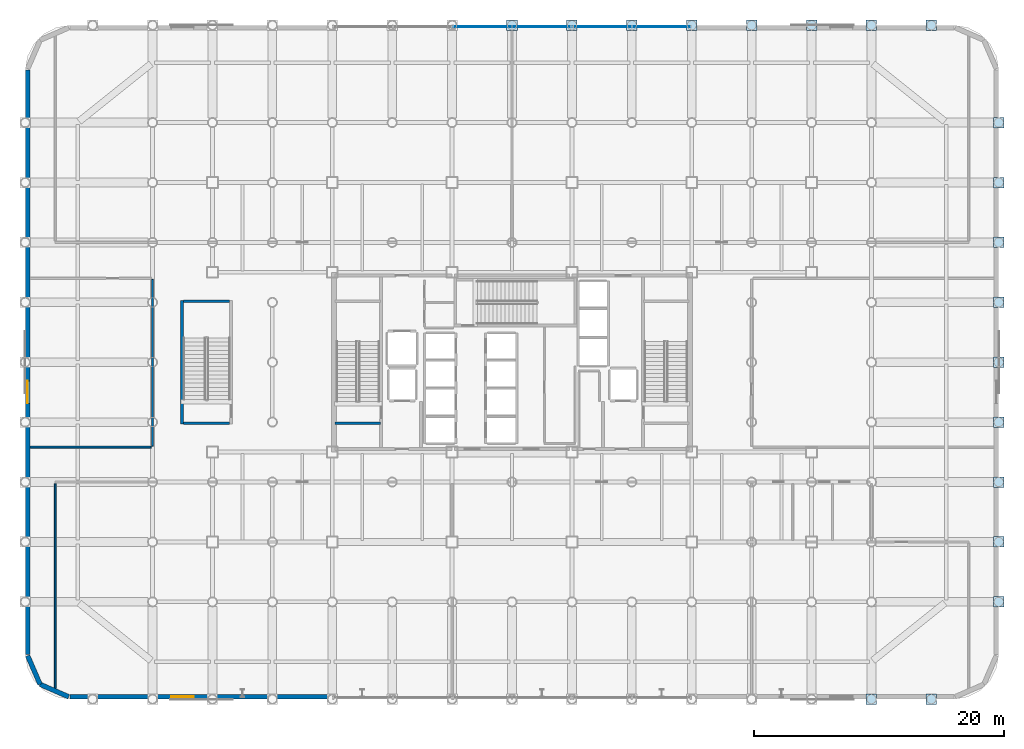
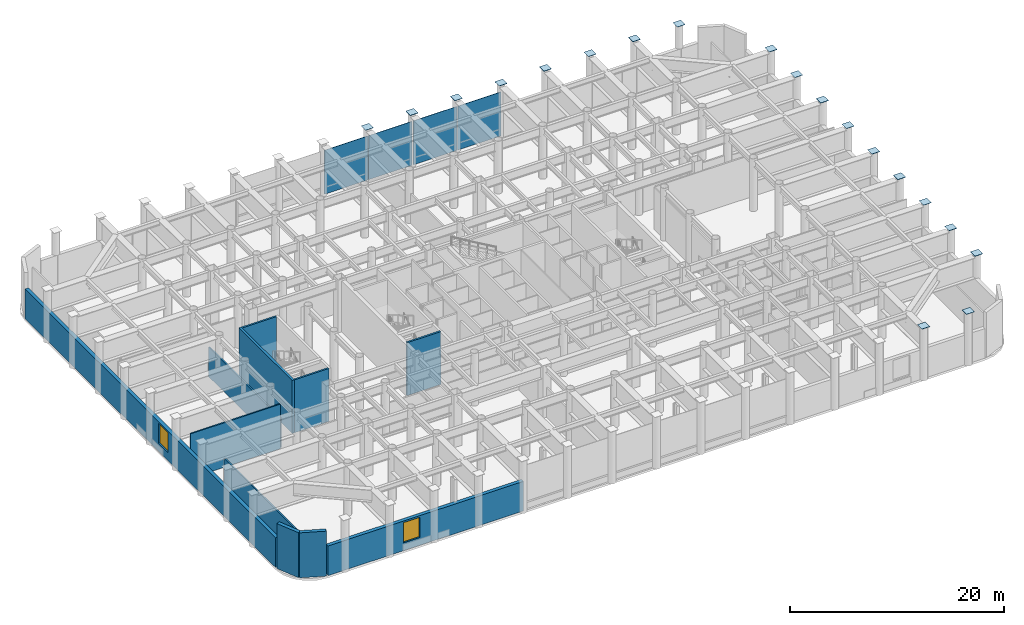
# One storey, part 15 of 26: 23 plates, 11 walls, 2 windows, 2 openings, 2 elements without a shape of their own.
"""IFC4 building model written with IfcOpenShell, lengths in metres."""

from ifc_helpers import new_model, si_unit, direction, frame, frame_2d, origin, origin_2d, place, context, subcontext, project, spatial, rectangle, extrude, material, layer, layer_set, type_object, element, fill, aggregate, save


model = new_model("IFC4")

# Units and contexts
model_context = context("Model", 3, precision=1e-05, world=origin(), true_north=direction((0.0, 1.0)))
body_context = subcontext(model_context, "Body", "Model", "MODEL_VIEW")
ifc_project = project(units=[si_unit("LENGTHUNIT", "METRE"), si_unit("AREAUNIT", "SQUARE_METRE"), si_unit("VOLUMEUNIT", "CUBIC_METRE"), si_unit("PLANEANGLEUNIT", "RADIAN"), si_unit("MASSUNIT", "GRAM", prefix="KILO")], contexts=[model_context])

# Site, building, storey
site_placement = place(None, origin())
site = spatial("IfcSite", under=ifc_project, at=site_placement, CompositionType="ELEMENT")
building_placement = place(site_placement, origin())
building = spatial("IfcBuilding", under=site, at=building_placement, Name="Kallvorn Hotel Tower", CompositionType="ELEMENT")
storey_placement = place(building_placement, frame((0.0, 0.0, 6.0)))
storey = spatial("IfcBuildingStorey", under=building, at=storey_placement, Name="L01", CompositionType="ELEMENT", Elevation=6.0)

# Curtain wall, plates
ifc_material_1 = material(Name="Thermally broken black-anodised aluminium AA 6063-T6", Category="aluminium")
ifc_layer_1 = layer(ifc_material_1, 0.239990234375)
ifc_layer_set_1 = layer_set([ifc_layer_1], Name="CW_SYS_1_PODIUM_LOW")
curtain_wall_type = type_object("IfcCurtainWallType", Name="CW_SYS_1_PODIUM_LOW", PredefinedType="USERDEFINED", material=ifc_layer_set_1)
curtain_wall_1_placement = place(storey_placement, origin())
curtain_wall_1 = element("IfcCurtainWall", 1, at=curtain_wall_1_placement, inside=storey, type_object=curtain_wall_type, Name="L01 Dark-Glass Curtain Wall CW-L01-N2", ObjectType="UNITISED CURTAIN WALL", PredefinedType="USERDEFINED")
ifc_material_2 = material(Name="Double-glazed low-e solar-control dark glass", Category="glass")
ifc_layer_2 = layer(ifc_material_2, 0.043212890625)
ifc_layer_set_2 = layer_set([ifc_layer_2], Name="CW_SYS_1_PODIUM_LOW_PANEL")
plate_type_1 = type_object("IfcPlateType", Name="CW_SYS_1_PODIUM_LOW_PANEL", PredefinedType="CURTAIN_PANEL", material=ifc_layer_set_2)
plate_1_placement = place(storey_placement, frame((-2.375, 26.8798828125, 0.06005859375), z_axis=(0.0, 0.0, 1.0), x_axis=(1.0, 0.0, 0.0)))
plate_1 = element("IfcPlate", 2, at=plate_1_placement, type_object=plate_type_1, Name="CW-L01-N2 Vision Glass Panel 00", PredefinedType="CURTAIN_PANEL", context=body_context, shape_type="SweptSolid", body=[
    extrude(rectangle(XDim=4.68994140625, YDim=0.043212890625, at=origin_2d()), origin(), (0.0, 0.0, 1.0), 5.010009765625),
])
plate_2_placement = place(storey_placement, frame((2.375, 26.8798828125, 0.06005859375), z_axis=(0.0, 0.0, 1.0), x_axis=(1.0, 0.0, 0.0)))
plate_2 = element("IfcPlate", 3, at=plate_2_placement, type_object=plate_type_1, Name="CW-L01-N2 Vision Glass Panel 01", PredefinedType="CURTAIN_PANEL", context=body_context, shape_type="SweptSolid", body=[
    extrude(rectangle(XDim=4.68994140625, YDim=0.043212890625, at=origin_2d()), origin(), (0.0, 0.0, 1.0), 5.010009765625),
])
aggregate(curtain_wall_1, [plate_1, plate_2])

curtain_wall_2_placement = place(storey_placement, origin())
curtain_wall_2 = element("IfcCurtainWall", 4, at=curtain_wall_2_placement, inside=storey, type_object=curtain_wall_type, Name="L01 Dark-Glass Curtain Wall CW-L01-N3", ObjectType="UNITISED CURTAIN WALL", PredefinedType="USERDEFINED")
plate_3_placement = place(storey_placement, frame((7.22509765625, 26.8798828125, 0.06005859375), z_axis=(0.0, 0.0, 1.0), x_axis=(1.0, 0.0, 0.0)))
plate_3 = element("IfcPlate", 5, at=plate_3_placement, type_object=plate_type_1, Name="CW-L01-N3 Vision Glass Panel 00", PredefinedType="CURTAIN_PANEL", context=body_context, shape_type="SweptSolid", body=[
    extrude(rectangle(XDim=4.68994140625, YDim=0.043212890625, at=origin_2d()), origin(), (0.0, 0.0, 1.0), 5.010009765625),
])
plate_4_placement = place(storey_placement, frame((11.97509765625, 26.8798828125, 0.06005859375), z_axis=(0.0, 0.0, 1.0), x_axis=(1.0, 0.0, 0.0)))
plate_4 = element("IfcPlate", 6, at=plate_4_placement, type_object=plate_type_1, Name="CW-L01-N3 Vision Glass Panel 01", PredefinedType="CURTAIN_PANEL", context=body_context, shape_type="SweptSolid", body=[
    extrude(rectangle(XDim=4.68994140625, YDim=0.043212890625, at=origin_2d()), origin(), (0.0, 0.0, 1.0), 5.010009765625),
])
aggregate(curtain_wall_2, [plate_3, plate_4])

# Plates
ifc_material_3 = material(Name="Structural steel S355JR", Category="steel")
ifc_layer_3 = layer(ifc_material_3, 0.030029296875)
ifc_layer_set_3 = layer_set([ifc_layer_3], Name="PLT_CAP_30")
plate_type_2 = type_object("IfcPlateType", Name="PLT_CAP_30", PredefinedType="SHEET", material=ifc_layer_set_3)
for number, where, z_axis, x_axis, name in (
    (7, (0.0, 27.0, 6.0), (0.0, 0.0, 1.0), (1.0, 0.0, 0.0), "L01 Hollow Column Top End Cap Plate 0026"),
    (8, (4.800048828125, 27.0, 6.0), (0.0, 0.0, 1.0), (1.0, 0.0, 0.0), "L01 Hollow Column Top End Cap Plate 0029"),
    (9, (9.60009765625, 27.0, 6.0), (0.0, 0.0, 1.0), (1.0, 0.0, 0.0), "L01 Hollow Column Top End Cap Plate 0031"),
    (10, (14.39990234375, 27.0, 6.0), (0.0, 0.0, 1.0), (1.0, 0.0, 0.0), "L01 Hollow Column Top End Cap Plate 0033"),
    (11, (19.199951171875, 27.0, 6.0), (0.0, 0.0, 1.0), (1.0, 0.0, 0.0), "L01 Hollow Column Top End Cap Plate 0035"),
    (12, (24.0, 27.0, 6.0), (0.0, 0.0, 1.0), (1.0, 0.0, 0.0), "L01 Hollow Column Top End Cap Plate 0037"),
    (13, (28.800048828125, -27.0, 6.0), (0.0, 0.0, 1.0), (1.0, 0.0, 0.0), "L01 Hollow Column Top End Cap Plate 0038"),
    (14, (28.800048828125, 27.0, 6.0), (0.0, 0.0, 1.0), (1.0, 0.0, 0.0), "L01 Hollow Column Top End Cap Plate 0039"),
    (15, (33.60009765625, -27.0, 6.0), (0.0, 0.0, 1.0), (1.0, 0.0, 0.0), "L01 Hollow Column Top End Cap Plate 0040"),
    (16, (33.60009765625, 27.0, 6.0), (0.0, 0.0, 1.0), (1.0, 0.0, 0.0), "L01 Hollow Column Top End Cap Plate 0041"),
    (17, (39.0, -19.199951171875, 6.0), (0.0, 0.0, 1.0), (1.0, 0.0, 0.0), "L01 Hollow Column Top End Cap Plate 0042"),
    (18, (39.0, -14.39990234375, 6.0), (0.0, 0.0, 1.0), (1.0, 0.0, 0.0), "L01 Hollow Column Top End Cap Plate 0043"),
    (19, (39.0, -9.60009765625, 6.0), (0.0, 0.0, 1.0), (1.0, 0.0, 0.0), "L01 Hollow Column Top End Cap Plate 0044"),
    (20, (39.0, -4.800048828125, 6.0), (0.0, 0.0, 1.0), (1.0, 0.0, 0.0), "L01 Hollow Column Top End Cap Plate 0045"),
    (21, (39.0, 0.0, 6.0), (0.0, 0.0, 1.0), (1.0, 0.0, 0.0), "L01 Hollow Column Top End Cap Plate 0046"),
    (22, (39.0, 4.800048828125, 6.0), (0.0, 0.0, 1.0), (1.0, 0.0, 0.0), "L01 Hollow Column Top End Cap Plate 0047"),
    (23, (39.0, 9.60009765625, 6.0), (0.0, 0.0, 1.0), (1.0, 0.0, 0.0), "L01 Hollow Column Top End Cap Plate 0048"),
    (24, (39.0, 14.39990234375, 6.0), (0.0, 0.0, 1.0), (1.0, 0.0, 0.0), "L01 Hollow Column Top End Cap Plate 0049"),
    (25, (39.0, 19.199951171875, 6.0), (0.0, 0.0, 1.0), (1.0, 0.0, 0.0), "L01 Hollow Column Top End Cap Plate 0050"),
):
    element("IfcPlate", number, at=place(storey_placement, frame(where, z_axis=z_axis, x_axis=x_axis)), inside=storey, type_object=plate_type_2, Name=name, PredefinedType="SHEET", context=body_context, shape_type="SweptSolid", body=[
        extrude(rectangle(XDim=0.842041015625, YDim=0.842041015625, at=origin_2d()), origin(), (0.0, 0.0, 1.0), 0.030029296875),
    ])

# Wall, opening, window
ifc_material_4 = material(Name="Precast basalt-clad insulated concrete wall C40/50", Category="masonry")
ifc_layer_4 = layer(ifc_material_4, 0.3798828125)
ifc_layer_set_4 = layer_set([ifc_layer_4], Name="WL_EXT_PODIUM_380")
wall_type_1 = type_object("IfcWallType", Name="WL_EXT_PODIUM_380", PredefinedType="SOLIDWALL", material=ifc_layer_set_4)
wall_1_placement = place(storey_placement, frame((-14.35009765625, -26.81005859375, 0.0), z_axis=(0.0, 0.0, 1.0), x_axis=(-1.0, 0.0, 0.0)))
wall_1 = element("IfcWall", 26, at=wall_1_placement, inside=storey, type_object=wall_type_1, Name="L01 Podium Exterior Wall EW-L01-SW", PredefinedType="SOLIDWALL", context=body_context, shape_type="SweptSolid", body=[
    extrude(rectangle(XDim=21.0498046875, YDim=0.3798828125, at=frame_2d((10.52490234375, 0.0))), origin(), (0.0, 0.0, 1.0), 3.3798828125),
])
opening_1_placement = place(wall_1_placement, frame((11.14990234375, 0.0, 0.89990234375)))
opening_1 = element("IfcOpeningElement", 27, at=opening_1_placement, cuts=wall_1, Name="Opening W02", PredefinedType="OPENING", context=body_context, shape_type="SweptSolid", body=[
    extrude(rectangle(XDim=1.800048828125, YDim=2.300048828125, at=frame_2d((0.89990234375, 1.14990234375))), frame((0.0, 0.204833984375, 0.0), z_axis=(0.0, -1.0, 0.0), x_axis=(1.0, 0.0, 0.0)), (0.0, 0.0, 1.0), 0.409912109375),
])
ifc_material_5 = material(Name="Double-glazed low-e solar-control dark glass", Category="glass")
window_type = type_object("IfcWindowType", Name="WN_POD_1800x2300", PartitioningType="SINGLE_PANEL", PredefinedType="WINDOW", material=ifc_material_5)
window_1_placement = place(opening_1_placement, origin())
window_1 = element("IfcWindow", 28, at=window_1_placement, inside=storey, type_object=window_type, Name="L01 Podium Window EW-L01-SW", OverallHeight=2.300048828125, OverallWidth=1.800048828125, PartitioningType="SINGLE_PANEL", PredefinedType="WINDOW", context=body_context, shape_type="SweptSolid", body=[
    extrude(rectangle(XDim=1.800048828125, YDim=2.300048828125, at=frame_2d((0.89990234375, 1.14990234375))), frame((0.0, 0.030029296875, 0.0), z_axis=(0.0, -1.0, 0.0), x_axis=(1.0, 0.0, 0.0)), (0.0, 0.0, 1.0), 0.06005859375),
])
fill(opening_1, window_1)

wall_2_placement = place(storey_placement, frame((-38.81005859375, -23.39990234375, 0.0), z_axis=(0.0, 0.0, 1.0), x_axis=(0.0, 1.0, 0.0)))
wall_2 = element("IfcWall", 29, at=wall_2_placement, inside=storey, type_object=wall_type_1, Name="L01 Podium Exterior Wall EW-L01-W", PredefinedType="SOLIDWALL", context=body_context, shape_type="SweptSolid", body=[
    extrude(rectangle(XDim=46.7998046875, YDim=0.3798828125, at=frame_2d((23.39990234375, 0.0))), origin(), (0.0, 0.0, 1.0), 3.3798828125),
])
opening_2_placement = place(wall_2_placement, frame((20.10009765625, 0.0, 0.89990234375)))
opening_2 = element("IfcOpeningElement", 30, at=opening_2_placement, cuts=wall_2, Name="Opening W02", PredefinedType="OPENING", context=body_context, shape_type="SweptSolid", body=[
    extrude(rectangle(XDim=1.800048828125, YDim=2.300048828125, at=frame_2d((0.89990234375, 1.14990234375))), frame((0.0, 0.204833984375, 0.0), z_axis=(0.0, -1.0, 0.0), x_axis=(1.0, 0.0, 0.0)), (0.0, 0.0, 1.0), 0.409912109375),
])
window_2_placement = place(opening_2_placement, origin())
window_2 = element("IfcWindow", 31, at=window_2_placement, inside=storey, type_object=window_type, Name="L01 Podium Window EW-L01-W", OverallHeight=2.300048828125, OverallWidth=1.800048828125, PartitioningType="SINGLE_PANEL", PredefinedType="WINDOW", context=body_context, shape_type="SweptSolid", body=[
    extrude(rectangle(XDim=1.800048828125, YDim=2.300048828125, at=frame_2d((0.89990234375, 1.14990234375))), frame((0.0, 0.030029296875, 0.0), z_axis=(0.0, -1.0, 0.0), x_axis=(1.0, 0.0, 0.0)), (0.0, 0.0, 1.0), 0.06005859375),
])
fill(opening_2, window_2)

# Walls
for number, where, z_axis, x_axis, name in (
    (32, (-38.807861328125, -23.51904296875, 0.0), (0.0, 0.0, 1.0), (0.39871182495, -0.917076267627, 0.0), "L01 Rounded Corner Exterior Wall SW1"),
    (33, (-37.811279296875, -25.811279296875, 0.0), (0.0, 0.0, 1.0), (0.917076267627, -0.39871182495, 0.0), "L01 Rounded Corner Exterior Wall SW2"),
):
    element("IfcWall", number, at=place(storey_placement, frame(where, z_axis=z_axis, x_axis=x_axis)), inside=storey, type_object=wall_type_1, Name=name, PredefinedType="SOLIDWALL", context=body_context, shape_type="SweptSolid", body=[
        extrude(rectangle(XDim=2.49951171875, YDim=0.3798828125, at=frame_2d((1.249755859375, 0.0))), origin(), (0.0, 0.0, 1.0), 5.1298828125),
    ])
ifc_material_6 = material(Name="Concrete C40/50", Category="concrete")
ifc_layer_5 = layer(ifc_material_6, 0.199951171875)
ifc_layer_set_5 = layer_set([ifc_layer_5], Name="WL_HOIST_200")
wall_type_2 = type_object("IfcWallType", Name="WL_HOIST_200", PredefinedType="SOLIDWALL", material=ifc_layer_set_5)
wall_3_placement = place(storey_placement, frame((-14.199951171875, -4.89990234375, -0.25), z_axis=(0.0, 0.0, 1.0), x_axis=(1.0, 0.0, 0.0)))
element("IfcWall", 34, at=wall_3_placement, inside=storey, type_object=wall_type_2, Name="L01 Stair ST1 South Wall", PredefinedType="SOLIDWALL", context=body_context, shape_type="SweptSolid", body=[
    extrude(rectangle(XDim=3.64990234375, YDim=0.199951171875, at=frame_2d((1.824951171875, 0.0))), origin(), (0.0, 0.0, 1.0), 6.030029296875),
])
for number, where, z_axis, x_axis, name in (
    (35, (-26.31005859375, -4.8798828125, -0.25), (0.0, 0.0, 1.0), (1.0, 0.0, 0.0), "L01 Podium Exit Stair ST4 South Wall"),
    (36, (-26.31005859375, 4.8798828125, -0.25), (0.0, 0.0, 1.0), (1.0, 0.0, 0.0), "L01 Podium Exit Stair ST4 North Wall"),
):
    element("IfcWall", number, at=place(storey_placement, frame(where, z_axis=z_axis, x_axis=x_axis)), inside=storey, type_object=wall_type_2, Name=name, PredefinedType="SOLIDWALL", context=body_context, shape_type="SweptSolid", body=[
        extrude(rectangle(XDim=3.68017578125, YDim=0.199951171875, at=frame_2d((1.840087890625, 0.0))), origin(), (0.0, 0.0, 1.0), 6.030029296875),
    ])
ifc_material_7 = material(Name="Fire-rated double-layer acoustic gypsum drywall EI 60")
ifc_layer_6 = layer(ifc_material_7, 0.14990234375)
ifc_layer_set_6 = layer_set([ifc_layer_6], Name="WL_PART_150")
wall_type_3 = type_object("IfcWallType", Name="WL_PART_150", PredefinedType="PARTITIONING", material=ifc_layer_set_6)
wall_4_placement = place(storey_placement, frame((-38.610107421875, -6.800048828125, 0.0), z_axis=(0.0, 0.0, 1.0), x_axis=(1.0, 0.0, 0.0)))
element("IfcWall", 37, at=wall_4_placement, inside=storey, type_object=wall_type_3, Name="L01 West Mezzanine VIP Dining Salon Partition", PredefinedType="PARTITIONING", context=body_context, shape_type="SweptSolid", body=[
    extrude(rectangle(XDim=9.690185546875, YDim=0.14990234375, at=frame_2d((4.84521484375, 0.0))), origin(), (0.0, 0.0, 1.0), 5.080078125),
])
wall_5_placement = place(storey_placement, frame((-36.60009765625, -26.137939453125, 0.0), z_axis=(0.0, 0.0, 1.0), x_axis=(0.0, 1.0, 0.0)))
element("IfcWall", 38, at=wall_5_placement, inside=storey, type_object=wall_type_3, Name="L01 Specialty Signature Restaurant Dining Hall Partition", PredefinedType="PARTITIONING", context=body_context, shape_type="SweptSolid", body=[
    extrude(rectangle(XDim=16.387939453125, YDim=0.14990234375, at=frame_2d((8.19384765625, 0.0))), origin(), (0.0, 0.0, 1.0), 3.3798828125),
])
wall_6_placement = place(storey_placement, frame((-28.800048828125, -6.715087890625, 0.0), z_axis=(0.0, 0.0, 1.0), x_axis=(0.0, 1.0, 0.0)))
element("IfcWall", 39, at=wall_6_placement, inside=storey, type_object=wall_type_3, Name="L01 West Mezzanine VIP Dining Salon Partition", PredefinedType="PARTITIONING", context=body_context, shape_type="SweptSolid", body=[
    extrude(rectangle(XDim=13.3466796875, YDim=0.14990234375, at=frame_2d((6.67333984375, 0.0))), origin(), (0.0, 0.0, 1.0), 3.3798828125),
])
ifc_material_8 = material(Name="Concrete C40/50", Category="concrete")
ifc_layer_7 = layer(ifc_material_8, 0.25)
ifc_layer_set_7 = layer_set([ifc_layer_7], Name="WL_SHAFT_250")
wall_type_4 = type_object("IfcWallType", Name="WL_SHAFT_250", PredefinedType="SOLIDWALL", material=ifc_layer_set_7)
wall_7_placement = place(storey_placement, frame((-26.43994140625, -4.9599609375, -0.25), z_axis=(0.0, 0.0, 1.0), x_axis=(0.0, 1.0, 0.0)))
element("IfcWall", 40, at=wall_7_placement, inside=storey, type_object=wall_type_4, Name="L01 Podium Exit Stair ST4 West Wall", PredefinedType="SOLIDWALL", context=body_context, shape_type="SweptSolid", body=[
    extrude(rectangle(XDim=9.919921875, YDim=0.25, at=frame_2d((4.9599609375, 0.0))), origin(), (0.0, 0.0, 1.0), 6.030029296875),
])

save(model, "model.ifc")
